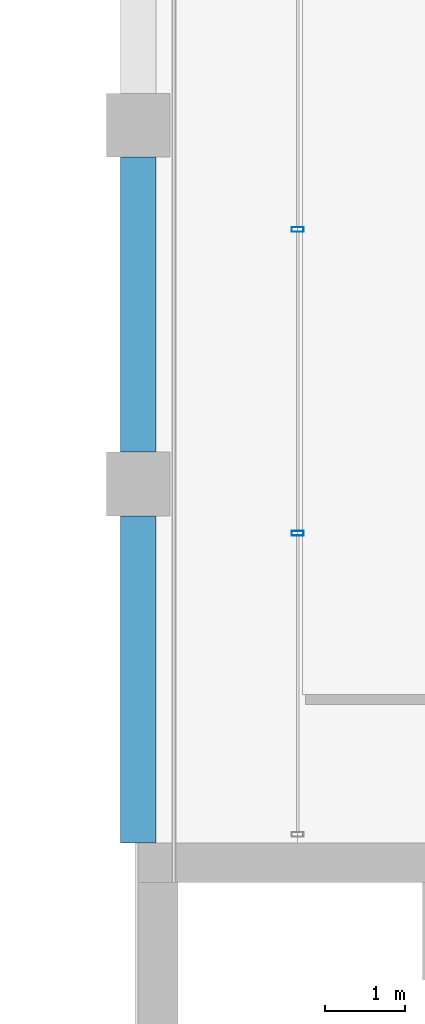
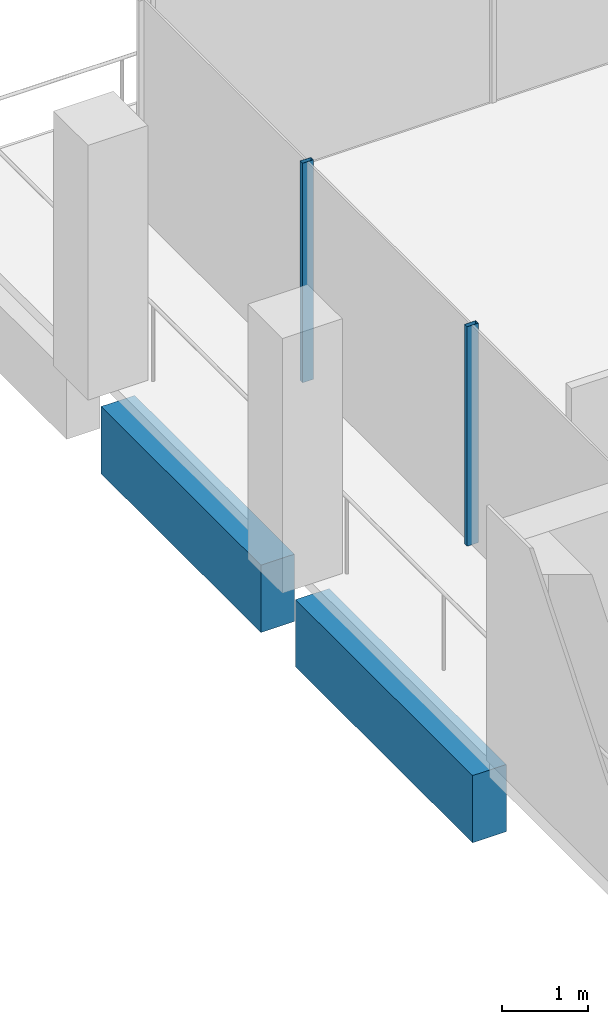
# One storey, part 20 of 30: 2 beams, 2 members, 1 element without a shape of its own.
"""IFC4 building model written with IfcOpenShell, lengths in metres."""

import ifcopenshell
import ifcopenshell.guid

model = None  # the IFC model being written
_history = None  # IfcOwnerHistory: only IFC2X3 demands one
_inside = {}  # id of a spatial element -> (the spatial element, [elements in it])
_under = {}  # id of a project, library or spatial element -> (it, [spatial elements below it])
_declared = {}  # id of a project -> (the project, [libraries it declares])
_typed = {}  # id of a type object -> (the type object, [elements of that type])
_made_of = {}  # id of a material, layer set ... -> (it, [elements and type objects made of it])


def new_model(schema):
    """Start an empty IFC model of exactly this schema.

    Asked for "IFC4X3", IfcOpenShell would pick the latest addendum, in which some entities
    have other attributes; the version numbers below select the first issue.
    IFC2X3 requires an IfcOwnerHistory on every rooted entity: one is made here for all.
    """
    global model, _history
    if schema == "IFC4X3":
        model = ifcopenshell.file(schema_version=(4, 3, 0, 0))
    else:
        model = ifcopenshell.file(schema=schema)
    _inside.clear()
    _under.clear()
    _declared.clear()
    _typed.clear()
    _made_of.clear()
    _history = None
    if model.schema == "IFC2X3":
        org = make("IfcOrganization", Name="unknown")
        user = make(
            "IfcPersonAndOrganization",
            ThePerson=make("IfcPerson", FamilyName="unknown"),
            TheOrganization=org,
        )
        app = make(
            "IfcApplication",
            ApplicationDeveloper=org,
            Version="unknown",
            ApplicationFullName="unknown",
            ApplicationIdentifier="unknown",
        )
        _history = make(
            "IfcOwnerHistory",
            OwningUser=user,
            OwningApplication=app,
            ChangeAction="ADDED",
            CreationDate=0,
        )
    return model


def make(cls, **values):
    """One entity of the class cls with the attributes given. An attribute that is None is left unset."""
    return model.create_entity(
        cls, **{name: value for name, value in values.items() if value is not None}
    )


def rooted(cls, **values):
    """An entity with a GlobalId (a new one), such as an element, a storey or a relation."""
    return make(cls, GlobalId=ifcopenshell.guid.new(), OwnerHistory=_history, **values)


def si_unit(unit_type, name, prefix=None):
    """IfcSIUnit, for example si_unit("LENGTHUNIT", "METRE", prefix="MILLI")."""
    return make("IfcSIUnit", UnitType=unit_type, Prefix=prefix, Name=name)


def assignment(units):
    """IfcUnitAssignment: the units of a project."""
    return None if units is None else make("IfcUnitAssignment", Units=units)


def point(xyz):
    """IfcCartesianPoint."""
    return None if xyz is None else make("IfcCartesianPoint", Coordinates=xyz)


def direction(xyz):
    """IfcDirection."""
    return None if xyz is None else make("IfcDirection", DirectionRatios=xyz)


def frame(location, z_axis=None, x_axis=None):
    """IfcAxis2Placement3D, a coordinate frame: its origin and axes. An axis left out is left unset."""
    return make(
        "IfcAxis2Placement3D",
        Location=point(location),
        Axis=direction(z_axis),
        RefDirection=direction(x_axis),
    )


def frame_2d(location, x_axis=None):
    """IfcAxis2Placement2D, a coordinate frame in the plane: its origin and x axis."""
    return make(
        "IfcAxis2Placement2D", Location=point(location), RefDirection=direction(x_axis)
    )


def origin():
    """The frame at (0, 0, 0) with its axes left unset."""
    return frame((0.0, 0.0, 0.0))


def origin_2d():
    """The frame at (0, 0) in the plane with its x axis left unset."""
    return frame_2d((0.0, 0.0))


def place(relative_to, where):
    """IfcLocalPlacement: puts the frame where relative to a parent placement (None: the world)."""
    return make(
        "IfcLocalPlacement", PlacementRelTo=relative_to, RelativePlacement=where
    )


def context(
    kind, dimensions, precision=None, world=None, true_north=None, identifier=None
):
    """IfcGeometricRepresentationContext, for example the 3D "Model" context."""
    return make(
        "IfcGeometricRepresentationContext",
        ContextIdentifier=identifier,
        ContextType=kind,
        CoordinateSpaceDimension=dimensions,
        Precision=precision,
        WorldCoordinateSystem=world,
        TrueNorth=true_north,
    )


def subcontext(parent, identifier, kind, view, scale=None):
    """IfcGeometricRepresentationSubContext, for example "Body" below "Model"."""
    return make(
        "IfcGeometricRepresentationSubContext",
        ContextIdentifier=identifier,
        ContextType=kind,
        ParentContext=parent,
        TargetScale=scale,
        TargetView=view,
    )


def project(units=None, contexts=None):
    """IfcProject with its units and contexts."""
    return rooted(
        "IfcProject",
        Name="project",
        RepresentationContexts=contexts,
        UnitsInContext=assignment(units),
    )


def spatial(cls, under=None, at=None, **own):
    """A site, building, storey or space (cls), placed at a placement, below another one or the project."""
    s = rooted(cls, ObjectPlacement=at, **own)
    if under is not None:
        _under.setdefault(under.id(), (under, []))[1].append(s)
    return s


def profile(cls, at=None, kind="AREA", **sizes):
    """A parametric profile (cls). Its sizes go by their IFC names, for example OverallWidth=200.0."""
    return make(cls, ProfileType=kind, Position=at, **sizes)


def rectangle(**sizes):
    """IfcRectangleProfileDef."""
    return profile("IfcRectangleProfileDef", **sizes)


def hollow_rectangle(**sizes):
    """IfcRectangleHollowProfileDef."""
    return profile("IfcRectangleHollowProfileDef", **sizes)


def extrude(swept, where, along, depth):
    """IfcExtrudedAreaSolid: the profile swept, set in the frame where, extruded along a direction by depth."""
    return make(
        "IfcExtrudedAreaSolid",
        SweptArea=swept,
        Position=where,
        ExtrudedDirection=direction(along),
        Depth=depth,
    )


def shape(context_of_items, identifier, shape_type, items):
    """IfcShapeRepresentation: the items that make up one representation, for example the "Body"."""
    return make(
        "IfcShapeRepresentation",
        ContextOfItems=context_of_items,
        RepresentationIdentifier=identifier,
        RepresentationType=shape_type,
        Items=items,
    )


def material(Name=None, Category=None):
    """IfcMaterial."""
    return make("IfcMaterial", Name=Name, Category=Category)


def material_profile(
    of_material, cross_section, Name=None, Category=None, Priority=None
):
    """IfcMaterialProfile: a cross section and its material."""
    return make(
        "IfcMaterialProfile",
        Name=Name,
        Material=of_material,
        Profile=cross_section,
        Priority=Priority,
        Category=Category,
    )


def profile_set(profiles, Name=None, composite=None):
    """IfcMaterialProfileSet."""
    return make(
        "IfcMaterialProfileSet",
        Name=Name,
        MaterialProfiles=profiles,
        CompositeProfile=composite,
    )


def made_of(thing, what):
    """Note that an element or type object is made of a material, layer set ...; save() writes the relation."""
    if what is not None:
        _made_of.setdefault(what.id(), (what, []))[1].append(thing)
    return thing


def type_object(cls, material=None, **own):
    """A type object (cls), such as IfcWallType, which elements share."""
    return made_of(rooted(cls, **own), material)


def element(
    cls,
    number,
    at=None,
    inside=None,
    cuts=None,
    type_object=None,
    material=None,
    context=None,
    identifier="Body",
    shape_type=None,
    held_by="IfcProductDefinitionShape",
    body=None,
    shapes=None,
    **own,
):
    """One element of the class cls, such as IfcWall. Its Tag is "e" and its number.

    at: its placement. inside: the storey or other place that contains it. cuts: it is an
    opening in that element (IfcRelVoidsElement). A single representation is given by context,
    identifier, shape_type and body (its items); several are given by shapes. held_by: the class
    of the entity that holds the representations. save() writes the other relations.
    """
    e = rooted(cls, Tag="e%d" % number, ObjectPlacement=at, **own)
    if body is not None:
        shapes = [shape(context, identifier, shape_type, body)]
    if shapes is not None:
        e.Representation = make(held_by, Representations=shapes)
    if inside is not None:
        _inside.setdefault(inside.id(), (inside, []))[1].append(e)
    if cuts is not None:
        rooted(
            "IfcRelVoidsElement", RelatingBuildingElement=cuts, RelatedOpeningElement=e
        )
    if type_object is not None:
        _typed.setdefault(type_object.id(), (type_object, []))[1].append(e)
    return made_of(e, material)


def aggregate(whole, parts):
    """IfcRelAggregates: a whole, such as a stair, and the parts it consists of."""
    return rooted("IfcRelAggregates", RelatingObject=whole, RelatedObjects=parts)


def save(model, path):
    """Write the relations noted so far, then the file.

    IfcRelAggregates (storeys below a building ...), IfcRelContainedInSpatialStructure (elements
    in a storey), IfcRelDefinesByType, IfcRelAssociatesMaterial and IfcRelDeclares: one each for
    every whole, place, type object, material and project.
    """
    for whole, parts in _under.values():
        aggregate(whole, parts)
    for where, things in _inside.values():
        rooted(
            "IfcRelContainedInSpatialStructure",
            RelatedElements=things,
            RelatingStructure=where,
        )
    for kind, things in _typed.values():
        rooted("IfcRelDefinesByType", RelatedObjects=things, RelatingType=kind)
    for what, things in _made_of.values():
        rooted("IfcRelAssociatesMaterial", RelatedObjects=things, RelatingMaterial=what)
    for by, libraries in _declared.values():
        rooted("IfcRelDeclares", RelatingContext=by, RelatedDefinitions=libraries)
    model.write(path)


model = new_model("IFC4")

# Units and contexts
model_context = context("Model", 3, precision=1e-05, world=origin(), true_north=direction((0.0, 1.0)))
body_context = subcontext(model_context, "Body", "Model", "MODEL_VIEW")
ifc_project = project(units=[si_unit("LENGTHUNIT", "METRE"), si_unit("AREAUNIT", "SQUARE_METRE"), si_unit("VOLUMEUNIT", "CUBIC_METRE"), si_unit("PLANEANGLEUNIT", "RADIAN"), si_unit("MASSUNIT", "GRAM", prefix="KILO")], contexts=[model_context])

# Site, building, storey
site_placement = place(None, origin())
site = spatial("IfcSite", under=ifc_project, at=site_placement, CompositionType="ELEMENT")
building_placement = place(site_placement, origin())
building = spatial("IfcBuilding", under=site, at=building_placement, Name="Altepetl Exchange Towers", CompositionType="ELEMENT")
storey_placement = place(building_placement, frame((0.0, 0.0, 220.800048828125)))
storey = spatial("IfcBuildingStorey", under=building, at=storey_placement, Name="L56", CompositionType="ELEMENT", Elevation=220.800048828125)

# Curtain wall, members
ifc_material_1 = material(Name="Aluminium 6063-T6 glazing", Category="aluminium")
curtain_wall_type = type_object("IfcCurtainWallType", Name="Loggia glazing system", PredefinedType="NOTDEFINED", material=ifc_material_1)
curtain_wall_placement = place(storey_placement, origin())
curtain_wall = element("IfcCurtainWall", 1, at=curtain_wall_placement, inside=storey, type_object=curtain_wall_type, Name="CW1 run", PredefinedType="NOTDEFINED")
ifc_material_2 = material(Name="Aluminium 6063-T6", Category="aluminium")
ifc_material_profile_1 = material_profile(ifc_material_2, hollow_rectangle(XDim=0.06005859375, YDim=0.14990234375, WallThickness=0.0029296875, at=origin_2d()), Name="Mullion 60x150 aluminium")
ifc_profile_set_1 = profile_set([ifc_material_profile_1], Name="Aluminium 6063-T6")
member_type = type_object("IfcMemberType", Name="Mullion 60x150 aluminium", PredefinedType="MULLION", material=ifc_profile_set_1)
member_1_placement = place(storey_placement, frame((42.5, 66.191650390625, 0.0), z_axis=(0.0, 0.0, 1.0), x_axis=(0.0, -1.0, 0.0)))
member_1 = element("IfcMember", 2, at=member_1_placement, type_object=member_type, Name="MU1 mullion", PredefinedType="MULLION", context=body_context, shape_type="SweptSolid", body=[
    extrude(hollow_rectangle(XDim=0.06005859375, YDim=0.14990234375, WallThickness=0.0029296875, at=origin_2d()), origin(), (0.0, 0.0, 1.0), 3.099853515625),
])
member_2_placement = place(storey_placement, frame((42.5, 62.38330078125, 0.0), z_axis=(0.0, 0.0, 1.0), x_axis=(0.0, -1.0, 0.0)))
member_2 = element("IfcMember", 3, at=member_2_placement, type_object=member_type, Name="MU1 mullion", PredefinedType="MULLION", context=body_context, shape_type="SweptSolid", body=[
    extrude(hollow_rectangle(XDim=0.06005859375, YDim=0.14990234375, WallThickness=0.0029296875, at=origin_2d()), origin(), (0.0, 0.0, 1.0), 3.099853515625),
])
aggregate(curtain_wall, [member_1, member_2])

# Beams
ifc_material_3 = material(Name="Concrete C50/60 precast with tezontle facing", Category="concrete")
ifc_material_profile_2 = material_profile(ifc_material_3, rectangle(XDim=0.449951171875, YDim=0.949951171875, at=origin_2d()), Name="450 x 950")
ifc_profile_set_2 = profile_set([ifc_material_profile_2], Name="Concrete C50/60 precast with tezontle facing")
beam_type = type_object("IfcBeamType", Name="Spandrel beam 450x950 tezontle", PredefinedType="SPANDREL", material=ifc_profile_set_2)
beam_1_placement = place(storey_placement, frame((40.5, 67.10009765625, -0.625), z_axis=(0.0, -1.0, 0.0), x_axis=(1.0, 0.0, 0.0)))
element("IfcBeam", 4, at=beam_1_placement, inside=storey, type_object=beam_type, Name="sp:A:L56:031", PredefinedType="SPANDREL", context=body_context, shape_type="SweptSolid", body=[
    extrude(rectangle(XDim=0.449951171875, YDim=0.949951171875, at=origin_2d()), origin(), (0.0, 0.0, 1.0), 3.7001953125),
])
beam_2_placement = place(storey_placement, frame((40.5, 62.60009765625, -0.625), z_axis=(0.0, -1.0, 0.0), x_axis=(1.0, 0.0, 0.0)))
element("IfcBeam", 5, at=beam_2_placement, inside=storey, type_object=beam_type, Name="sp:A:L56:032", PredefinedType="SPANDREL", context=body_context, shape_type="SweptSolid", body=[
    extrude(rectangle(XDim=0.449951171875, YDim=0.949951171875, at=origin_2d()), origin(), (0.0, 0.0, 1.0), 4.10009765625),
])

save(model, "model.ifc")
